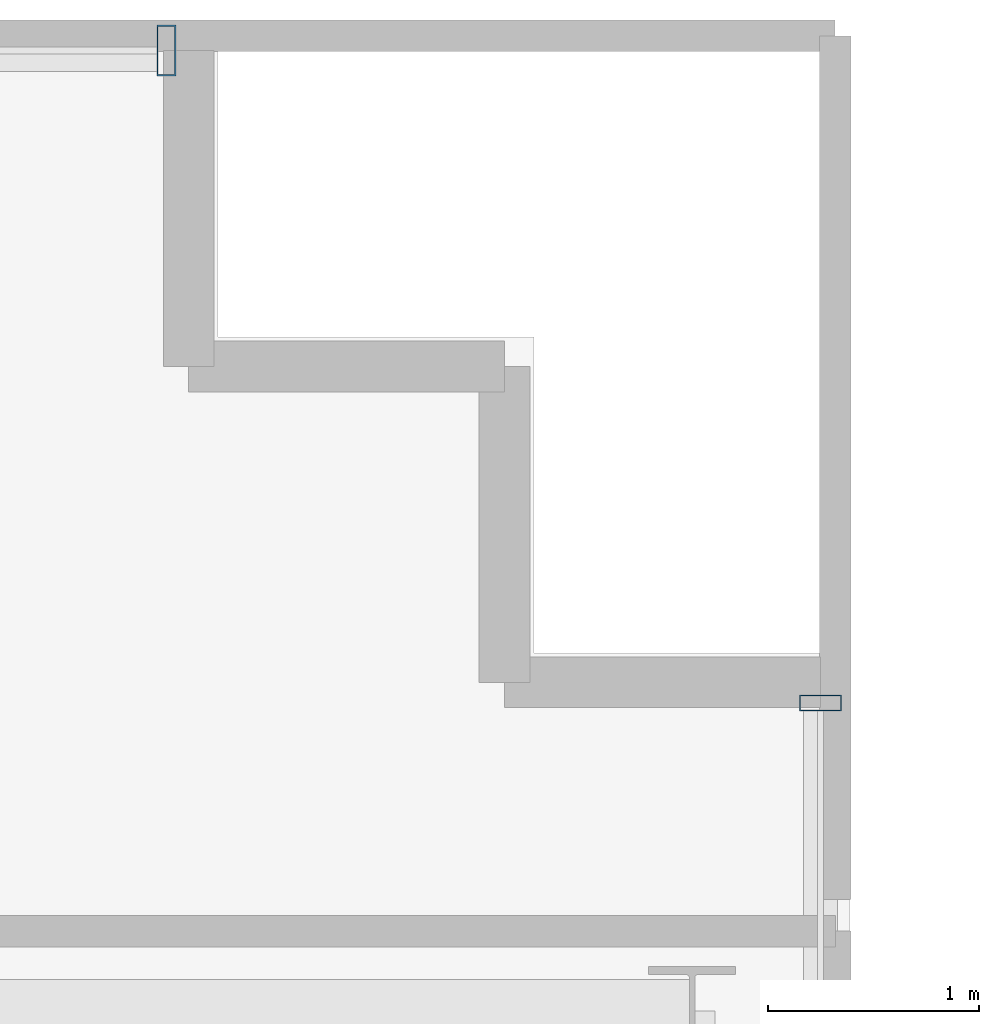
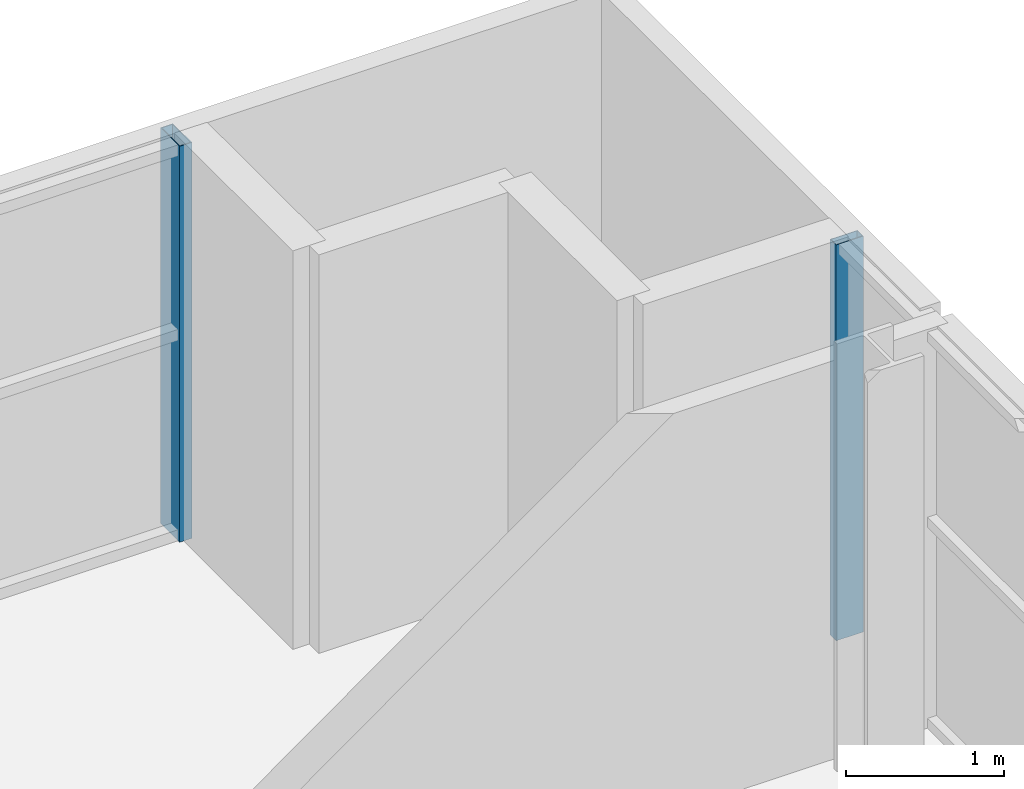
# One storey, part 19 of 28: 2 members, 2 elements without a shape of their own.
"""IFC4 building model written with IfcOpenShell, lengths in metres."""

from ifc_helpers import new_model, si_unit, direction, frame, origin, origin_2d, place, context, subcontext, project, spatial, hollow_rectangle, extrude, source, transform, mapped, material, layer, layer_set, material_profile, profile_set, type_object, element, aggregate, save


model = new_model("IFC4")

# Units and contexts
model_context = context("Model", 3, precision=1e-05, world=origin(), true_north=direction((0.0, 1.0)))
body_context = subcontext(model_context, "Body", "Model", "MODEL_VIEW")
ifc_project = project(units=[si_unit("LENGTHUNIT", "METRE"), si_unit("AREAUNIT", "SQUARE_METRE"), si_unit("VOLUMEUNIT", "CUBIC_METRE"), si_unit("PLANEANGLEUNIT", "RADIAN"), si_unit("MASSUNIT", "GRAM", prefix="KILO")], contexts=[model_context])

# Site, building, storey
site_placement = place(None, origin())
site = spatial("IfcSite", under=ifc_project, at=site_placement, CompositionType="ELEMENT")
building_placement = place(site_placement, origin())
building = spatial("IfcBuilding", under=site, at=building_placement, Name="Zarnakvel Exchange Tower", CompositionType="ELEMENT")
storey_placement = place(building_placement, frame((0.0, 0.0, 57.10009765625)))
storey = spatial("IfcBuildingStorey", under=building, at=storey_placement, Name="L15", CompositionType="ELEMENT", Elevation=57.10009765625)

# Curtain wall, member
ifc_material = material(Name="Architectural Bronze Anodised Aluminium", Category="aluminium")
ifc_layer_1 = layer(ifc_material, 0.239990234375)
ifc_layer_set_1 = layer_set([ifc_layer_1], Name="Architectural Bronze Anodised Aluminium")
curtain_wall_type_1 = type_object("IfcCurtainWallType", Name="CW-02", PredefinedType="NOTDEFINED", material=ifc_layer_set_1)
curtain_wall_1_placement = place(storey_placement, origin())
curtain_wall_1 = element("IfcCurtainWall", 1, at=curtain_wall_1_placement, inside=storey, type_object=curtain_wall_type_1, Name="L15 Curtain Wall CW-L15-N1 (CW-02)", PredefinedType="NOTDEFINED")
ifc_material_profile_1 = material_profile(ifc_material, hollow_rectangle(XDim=0.239990234375, YDim=0.090087890625, WallThickness=0.006103515625, at=origin_2d()))
ifc_profile_set_1 = profile_set([ifc_material_profile_1], Name="Architectural Bronze Anodised Aluminium")
member_type_1 = type_object("IfcMemberType", Name="CWM-02", PredefinedType="MULLION", material=ifc_profile_set_1)
shared_shape_1 = source(origin(), body_context, "Body", "SweptSolid", [
    extrude(hollow_rectangle(XDim=0.239990234375, YDim=0.090087890625, WallThickness=0.006103515625, at=origin_2d()), origin(), (0.0, 0.0, 1.0), 3.054931640625),
])
member_1_placement = place(storey_placement, frame((29.35498046875, 18.06005859375, 0.0), z_axis=(0.0, 0.0, 1.0), x_axis=(0.0, 1.0, 0.0)))
member_1 = element("IfcMember", 2, at=member_1_placement, type_object=member_type_1, Name="CW-02 mullion 8", PredefinedType="MULLION", context=body_context, shape_type="MappedRepresentation", body=[
    mapped(shared_shape_1, transform((0.0, 0.0, 0.0), x_axis=(1.0, 0.0, 0.0), y_axis=(0.0, 1.0, 0.0), z_axis=(0.0, 0.0, 1.0), scale=1.0)),
])
aggregate(curtain_wall_1, [member_1])

ifc_layer_2 = layer(ifc_material, 0.199951171875)
ifc_layer_set_2 = layer_set([ifc_layer_2], Name="Architectural Bronze Anodised Aluminium")
curtain_wall_type_2 = type_object("IfcCurtainWallType", Name="CW-04", PredefinedType="NOTDEFINED", material=ifc_layer_set_2)
curtain_wall_2_placement = place(storey_placement, origin())
curtain_wall_2 = element("IfcCurtainWall", 3, at=curtain_wall_2_placement, inside=storey, type_object=curtain_wall_type_2, Name="L15 Curtain Wall CW-L15-EN (CW-04)", PredefinedType="NOTDEFINED")
ifc_material_profile_2 = material_profile(ifc_material, hollow_rectangle(XDim=0.199951171875, YDim=0.074951171875, WallThickness=0.0048828125, at=origin_2d()))
ifc_profile_set_2 = profile_set([ifc_material_profile_2], Name="Architectural Bronze Anodised Aluminium")
member_type_2 = type_object("IfcMemberType", Name="CWM-04", PredefinedType="MULLION", material=ifc_profile_set_2)
shared_shape_2 = source(origin(), body_context, "Body", "SweptSolid", [
    extrude(hollow_rectangle(XDim=0.199951171875, YDim=0.074951171875, WallThickness=0.0048828125, at=origin_2d()), origin(), (0.0, 0.0, 1.0), 3.054931640625),
])
member_2_placement = place(storey_placement, frame((32.4599609375, 14.96240234375, 0.0), z_axis=(0.0, 0.0, 1.0), x_axis=(-1.0, 0.0, 0.0)))
member_2 = element("IfcMember", 4, at=member_2_placement, type_object=member_type_2, Name="CW-04 mullion 3", PredefinedType="MULLION", context=body_context, shape_type="MappedRepresentation", body=[
    mapped(shared_shape_2, transform((0.0, 0.0, 0.0), x_axis=(1.0, 0.0, 0.0), y_axis=(0.0, 1.0, 0.0), z_axis=(0.0, 0.0, 1.0), scale=1.0)),
])
aggregate(curtain_wall_2, [member_2])

save(model, "model.ifc")
